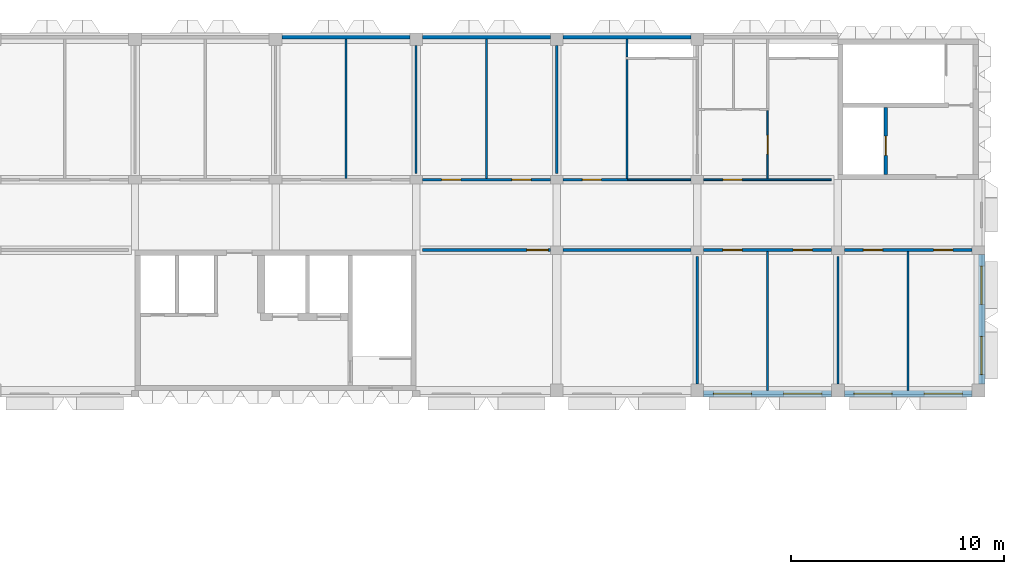
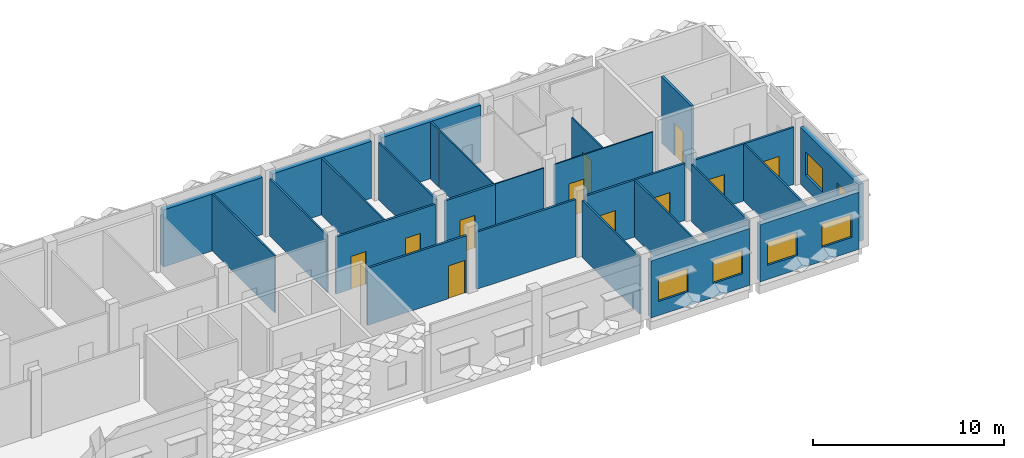
# One storey, part 34 of 85: 26 walls, 11 doors, 6 windows, 17 openings.
"""IFC4 building model written with IfcOpenShell, lengths in metres."""

import ifcopenshell
import ifcopenshell.guid

model = None  # the IFC model being written
_history = None  # IfcOwnerHistory: only IFC2X3 demands one
_inside = {}  # id of a spatial element -> (the spatial element, [elements in it])
_under = {}  # id of a project, library or spatial element -> (it, [spatial elements below it])
_declared = {}  # id of a project -> (the project, [libraries it declares])
_typed = {}  # id of a type object -> (the type object, [elements of that type])
_made_of = {}  # id of a material, layer set ... -> (it, [elements and type objects made of it])


def new_model(schema):
    """Start an empty IFC model of exactly this schema.

    Asked for "IFC4X3", IfcOpenShell would pick the latest addendum, in which some entities
    have other attributes; the version numbers below select the first issue.
    IFC2X3 requires an IfcOwnerHistory on every rooted entity: one is made here for all.
    """
    global model, _history
    if schema == "IFC4X3":
        model = ifcopenshell.file(schema_version=(4, 3, 0, 0))
    else:
        model = ifcopenshell.file(schema=schema)
    _inside.clear()
    _under.clear()
    _declared.clear()
    _typed.clear()
    _made_of.clear()
    _history = None
    if model.schema == "IFC2X3":
        org = make("IfcOrganization", Name="unknown")
        user = make(
            "IfcPersonAndOrganization",
            ThePerson=make("IfcPerson", FamilyName="unknown"),
            TheOrganization=org,
        )
        app = make(
            "IfcApplication",
            ApplicationDeveloper=org,
            Version="unknown",
            ApplicationFullName="unknown",
            ApplicationIdentifier="unknown",
        )
        _history = make(
            "IfcOwnerHistory",
            OwningUser=user,
            OwningApplication=app,
            ChangeAction="ADDED",
            CreationDate=0,
        )
    return model


def make(cls, **values):
    """One entity of the class cls with the attributes given. An attribute that is None is left unset."""
    return model.create_entity(
        cls, **{name: value for name, value in values.items() if value is not None}
    )


def rooted(cls, **values):
    """An entity with a GlobalId (a new one), such as an element, a storey or a relation."""
    return make(cls, GlobalId=ifcopenshell.guid.new(), OwnerHistory=_history, **values)


def si_unit(unit_type, name, prefix=None):
    """IfcSIUnit, for example si_unit("LENGTHUNIT", "METRE", prefix="MILLI")."""
    return make("IfcSIUnit", UnitType=unit_type, Prefix=prefix, Name=name)


def assignment(units):
    """IfcUnitAssignment: the units of a project."""
    return None if units is None else make("IfcUnitAssignment", Units=units)


def point(xyz):
    """IfcCartesianPoint."""
    return None if xyz is None else make("IfcCartesianPoint", Coordinates=xyz)


def direction(xyz):
    """IfcDirection."""
    return None if xyz is None else make("IfcDirection", DirectionRatios=xyz)


def frame(location, z_axis=None, x_axis=None):
    """IfcAxis2Placement3D, a coordinate frame: its origin and axes. An axis left out is left unset."""
    return make(
        "IfcAxis2Placement3D",
        Location=point(location),
        Axis=direction(z_axis),
        RefDirection=direction(x_axis),
    )


def frame_2d(location, x_axis=None):
    """IfcAxis2Placement2D, a coordinate frame in the plane: its origin and x axis."""
    return make(
        "IfcAxis2Placement2D", Location=point(location), RefDirection=direction(x_axis)
    )


def origin():
    """The frame at (0, 0, 0) with its axes left unset."""
    return frame((0.0, 0.0, 0.0))


def place(relative_to, where):
    """IfcLocalPlacement: puts the frame where relative to a parent placement (None: the world)."""
    return make(
        "IfcLocalPlacement", PlacementRelTo=relative_to, RelativePlacement=where
    )


def context(
    kind, dimensions, precision=None, world=None, true_north=None, identifier=None
):
    """IfcGeometricRepresentationContext, for example the 3D "Model" context."""
    return make(
        "IfcGeometricRepresentationContext",
        ContextIdentifier=identifier,
        ContextType=kind,
        CoordinateSpaceDimension=dimensions,
        Precision=precision,
        WorldCoordinateSystem=world,
        TrueNorth=true_north,
    )


def subcontext(parent, identifier, kind, view, scale=None):
    """IfcGeometricRepresentationSubContext, for example "Body" below "Model"."""
    return make(
        "IfcGeometricRepresentationSubContext",
        ContextIdentifier=identifier,
        ContextType=kind,
        ParentContext=parent,
        TargetScale=scale,
        TargetView=view,
    )


def project(units=None, contexts=None):
    """IfcProject with its units and contexts."""
    return rooted(
        "IfcProject",
        Name="project",
        RepresentationContexts=contexts,
        UnitsInContext=assignment(units),
    )


def spatial(cls, under=None, at=None, **own):
    """A site, building, storey or space (cls), placed at a placement, below another one or the project."""
    s = rooted(cls, ObjectPlacement=at, **own)
    if under is not None:
        _under.setdefault(under.id(), (under, []))[1].append(s)
    return s


def profile(cls, at=None, kind="AREA", **sizes):
    """A parametric profile (cls). Its sizes go by their IFC names, for example OverallWidth=200.0."""
    return make(cls, ProfileType=kind, Position=at, **sizes)


def rectangle(**sizes):
    """IfcRectangleProfileDef."""
    return profile("IfcRectangleProfileDef", **sizes)


def extrude(swept, where, along, depth):
    """IfcExtrudedAreaSolid: the profile swept, set in the frame where, extruded along a direction by depth."""
    return make(
        "IfcExtrudedAreaSolid",
        SweptArea=swept,
        Position=where,
        ExtrudedDirection=direction(along),
        Depth=depth,
    )


def shape(context_of_items, identifier, shape_type, items):
    """IfcShapeRepresentation: the items that make up one representation, for example the "Body"."""
    return make(
        "IfcShapeRepresentation",
        ContextOfItems=context_of_items,
        RepresentationIdentifier=identifier,
        RepresentationType=shape_type,
        Items=items,
    )


def material(Name=None, Category=None):
    """IfcMaterial."""
    return make("IfcMaterial", Name=Name, Category=Category)


def layer(
    of_material, thickness, ventilated=None, Name=None, Category=None, Priority=None
):
    """IfcMaterialLayer: one layer of a wall or slab, of a material (None: an air gap)."""
    return make(
        "IfcMaterialLayer",
        Material=of_material,
        LayerThickness=thickness,
        IsVentilated=ventilated,
        Name=Name,
        Category=Category,
        Priority=Priority,
    )


def layer_set(layers, Name=None):
    """IfcMaterialLayerSet."""
    return make("IfcMaterialLayerSet", MaterialLayers=layers, LayerSetName=Name)


def made_of(thing, what):
    """Note that an element or type object is made of a material, layer set ...; save() writes the relation."""
    if what is not None:
        _made_of.setdefault(what.id(), (what, []))[1].append(thing)
    return thing


def type_object(cls, material=None, **own):
    """A type object (cls), such as IfcWallType, which elements share."""
    return made_of(rooted(cls, **own), material)


def element(
    cls,
    number,
    at=None,
    inside=None,
    cuts=None,
    type_object=None,
    material=None,
    context=None,
    identifier="Body",
    shape_type=None,
    held_by="IfcProductDefinitionShape",
    body=None,
    shapes=None,
    **own,
):
    """One element of the class cls, such as IfcWall. Its Tag is "e" and its number.

    at: its placement. inside: the storey or other place that contains it. cuts: it is an
    opening in that element (IfcRelVoidsElement). A single representation is given by context,
    identifier, shape_type and body (its items); several are given by shapes. held_by: the class
    of the entity that holds the representations. save() writes the other relations.
    """
    e = rooted(cls, Tag="e%d" % number, ObjectPlacement=at, **own)
    if body is not None:
        shapes = [shape(context, identifier, shape_type, body)]
    if shapes is not None:
        e.Representation = make(held_by, Representations=shapes)
    if inside is not None:
        _inside.setdefault(inside.id(), (inside, []))[1].append(e)
    if cuts is not None:
        rooted(
            "IfcRelVoidsElement", RelatingBuildingElement=cuts, RelatedOpeningElement=e
        )
    if type_object is not None:
        _typed.setdefault(type_object.id(), (type_object, []))[1].append(e)
    return made_of(e, material)


def fill(opening, filler):
    """IfcRelFillsElement: the door or window that sits in an opening."""
    return rooted(
        "IfcRelFillsElement",
        RelatingOpeningElement=opening,
        RelatedBuildingElement=filler,
    )


def aggregate(whole, parts):
    """IfcRelAggregates: a whole, such as a stair, and the parts it consists of."""
    return rooted("IfcRelAggregates", RelatingObject=whole, RelatedObjects=parts)


def save(model, path):
    """Write the relations noted so far, then the file.

    IfcRelAggregates (storeys below a building ...), IfcRelContainedInSpatialStructure (elements
    in a storey), IfcRelDefinesByType, IfcRelAssociatesMaterial and IfcRelDeclares: one each for
    every whole, place, type object, material and project.
    """
    for whole, parts in _under.values():
        aggregate(whole, parts)
    for where, things in _inside.values():
        rooted(
            "IfcRelContainedInSpatialStructure",
            RelatedElements=things,
            RelatingStructure=where,
        )
    for kind, things in _typed.values():
        rooted("IfcRelDefinesByType", RelatedObjects=things, RelatingType=kind)
    for what, things in _made_of.values():
        rooted("IfcRelAssociatesMaterial", RelatedObjects=things, RelatingMaterial=what)
    for by, libraries in _declared.values():
        rooted("IfcRelDeclares", RelatingContext=by, RelatedDefinitions=libraries)
    model.write(path)


model = new_model("IFC4")

# Units and contexts
model_context = context("Model", 3, precision=1e-05, world=origin(), true_north=direction((0.0, 1.0)))
body_context = subcontext(model_context, "Body", "Model", "MODEL_VIEW")
ifc_project = project(units=[si_unit("LENGTHUNIT", "METRE"), si_unit("AREAUNIT", "SQUARE_METRE"), si_unit("VOLUMEUNIT", "CUBIC_METRE"), si_unit("PLANEANGLEUNIT", "RADIAN"), si_unit("MASSUNIT", "GRAM", prefix="KILO")], contexts=[model_context])

# Site, building, storey
site_placement = place(None, origin())
site = spatial("IfcSite", under=ifc_project, at=site_placement, CompositionType="ELEMENT")
building_placement = place(site_placement, origin())
building = spatial("IfcBuilding", under=site, at=building_placement, Name="Lantern Court Research Institute", CompositionType="ELEMENT")
storey_placement = place(building_placement, frame((0.0, 0.0, 18.89990234375)))
storey = spatial("IfcBuildingStorey", under=building, at=storey_placement, Name="L04", CompositionType="ELEMENT", Elevation=18.89990234375)

# Wall, openings, windows
ifc_material_1 = material(Name="Concrete C30/37", Category="concrete")
ifc_layer_1 = layer(ifc_material_1, 0.300048828125)
ifc_layer_set_1 = layer_set([ifc_layer_1], Name="Concrete C30/37")
wall_type_1 = type_object("IfcWallType", Name="Insulated concrete infill wall 300", PredefinedType="STANDARD", material=ifc_layer_set_1)
wall_1_placement = place(storey_placement, frame((79.35009765625, 88.89990234375, 0.0), z_axis=(0.0, 0.0, 1.0), x_axis=(0.0, -1.0, 0.0)))
wall_1 = element("IfcWall", 1, at=wall_1_placement, inside=storey, type_object=wall_type_1, Name="Exterior wall EW203", PredefinedType="STANDARD", context=body_context, shape_type="SweptSolid", body=[
    extrude(rectangle(XDim=6.099853515625, YDim=0.300048828125, at=frame_2d((3.0498046875, 0.0))), origin(), (0.0, 0.0, 1.0), 3.650146484375),
])
opening_1_placement = place(wall_1_placement, frame((3.85009765625, 0.0, 0.89990234375)))
opening_1 = element("IfcOpeningElement", 2, at=opening_1_placement, cuts=wall_1, Name="Opening W14", PredefinedType="OPENING", context=body_context, shape_type="SweptSolid", body=[
    extrude(rectangle(XDim=1.800048828125, YDim=1.5, at=frame_2d((0.89990234375, 0.75))), frame((0.0, 0.159912109375, 0.0), z_axis=(0.0, -1.0, 0.0), x_axis=(1.0, 0.0, 0.0)), (0.0, 0.0, 1.0), 0.320068359375),
])
opening_2_placement = place(wall_1_placement, frame((0.550048828125, 0.0, 0.89990234375)))
opening_2 = element("IfcOpeningElement", 3, at=opening_2_placement, cuts=wall_1, Name="Opening W14", PredefinedType="OPENING", context=body_context, shape_type="SweptSolid", body=[
    extrude(rectangle(XDim=1.800048828125, YDim=1.5, at=frame_2d((0.89990234375, 0.75))), frame((0.0, 0.159912109375, 0.0), z_axis=(0.0, -1.0, 0.0), x_axis=(1.0, 0.0, 0.0)), (0.0, 0.0, 1.0), 0.320068359375),
])
ifc_material_2 = material(Name="Aluminium frame with laminated low-emissivity glazing", Category="aluminium")
window_type = type_object("IfcWindowType", Name="Office window 1800 x 1500", PartitioningType="SINGLE_PANEL", PredefinedType="WINDOW", material=ifc_material_2)
window_1_placement = place(opening_1_placement, origin())
window_1 = element("IfcWindow", 4, at=window_1_placement, inside=storey, type_object=window_type, Name="Window W14 V6E L04", OverallHeight=1.5, OverallWidth=1.800048828125, PartitioningType="SINGLE_PANEL", PredefinedType="WINDOW", context=body_context, shape_type="SweptSolid", body=[
    extrude(rectangle(XDim=1.800048828125, YDim=1.5, at=frame_2d((0.89990234375, 0.75))), frame((0.0, 0.030029296875, 0.0), z_axis=(0.0, -1.0, 0.0), x_axis=(1.0, 0.0, 0.0)), (0.0, 0.0, 1.0), 0.06005859375),
])
fill(opening_1, window_1)
window_2_placement = place(opening_2_placement, origin())
window_2 = element("IfcWindow", 5, at=window_2_placement, inside=storey, type_object=window_type, Name="Window W14 V6E L04", OverallHeight=1.5, OverallWidth=1.800048828125, PartitioningType="SINGLE_PANEL", PredefinedType="WINDOW", context=body_context, shape_type="SweptSolid", body=[
    extrude(rectangle(XDim=1.800048828125, YDim=1.5, at=frame_2d((0.89990234375, 0.75))), frame((0.0, 0.030029296875, 0.0), z_axis=(0.0, -1.0, 0.0), x_axis=(1.0, 0.0, 0.0)), (0.0, 0.0, 1.0), 0.06005859375),
])
fill(opening_2, window_2)

wall_2_placement = place(storey_placement, frame((72.300048828125, 82.35009765625, 0.0), z_axis=(0.0, 0.0, 1.0), x_axis=(-1.0, 0.0, 0.0)))
wall_2 = element("IfcWall", 6, at=wall_2_placement, inside=storey, type_object=wall_type_1, Name="Exterior wall EW226", PredefinedType="STANDARD", context=body_context, shape_type="SweptSolid", body=[
    extrude(rectangle(XDim=6.0, YDim=0.300048828125, at=frame_2d((3.0, 0.0))), origin(), (0.0, 0.0, 1.0), 3.650146484375),
])
opening_3_placement = place(wall_2_placement, frame((3.75, 0.0, 0.89990234375)))
opening_3 = element("IfcOpeningElement", 7, at=opening_3_placement, cuts=wall_2, Name="Opening W14", PredefinedType="OPENING", context=body_context, shape_type="SweptSolid", body=[
    extrude(rectangle(XDim=1.800048828125, YDim=1.5, at=frame_2d((0.89990234375, 0.75))), frame((0.0, 0.159912109375, 0.0), z_axis=(0.0, -1.0, 0.0), x_axis=(1.0, 0.0, 0.0)), (0.0, 0.0, 1.0), 0.320068359375),
])
opening_4_placement = place(wall_2_placement, frame((0.449951171875, 0.0, 0.89990234375)))
opening_4 = element("IfcOpeningElement", 8, at=opening_4_placement, cuts=wall_2, Name="Opening W14", PredefinedType="OPENING", context=body_context, shape_type="SweptSolid", body=[
    extrude(rectangle(XDim=1.800048828125, YDim=1.5, at=frame_2d((0.89990234375, 0.75))), frame((0.0, 0.159912109375, 0.0), z_axis=(0.0, -1.0, 0.0), x_axis=(1.0, 0.0, 0.0)), (0.0, 0.0, 1.0), 0.320068359375),
])
window_3_placement = place(opening_3_placement, origin())
window_3 = element("IfcWindow", 9, at=window_3_placement, inside=storey, type_object=window_type, Name="Window W14 V6S L04", OverallHeight=1.5, OverallWidth=1.800048828125, PartitioningType="SINGLE_PANEL", PredefinedType="WINDOW", context=body_context, shape_type="SweptSolid", body=[
    extrude(rectangle(XDim=1.800048828125, YDim=1.5, at=frame_2d((0.89990234375, 0.75))), frame((0.0, 0.030029296875, 0.0), z_axis=(0.0, -1.0, 0.0), x_axis=(1.0, 0.0, 0.0)), (0.0, 0.0, 1.0), 0.06005859375),
])
fill(opening_3, window_3)
window_4_placement = place(opening_4_placement, origin())
window_4 = element("IfcWindow", 10, at=window_4_placement, inside=storey, type_object=window_type, Name="Window W14 V6S L04", OverallHeight=1.5, OverallWidth=1.800048828125, PartitioningType="SINGLE_PANEL", PredefinedType="WINDOW", context=body_context, shape_type="SweptSolid", body=[
    extrude(rectangle(XDim=1.800048828125, YDim=1.5, at=frame_2d((0.89990234375, 0.75))), frame((0.0, 0.030029296875, 0.0), z_axis=(0.0, -1.0, 0.0), x_axis=(1.0, 0.0, 0.0)), (0.0, 0.0, 1.0), 0.06005859375),
])
fill(opening_4, window_4)

wall_3_placement = place(storey_placement, frame((78.89990234375, 82.35009765625, 0.0), z_axis=(0.0, 0.0, 1.0), x_axis=(-1.0, 0.0, 0.0)))
wall_3 = element("IfcWall", 11, at=wall_3_placement, inside=storey, type_object=wall_type_1, Name="Exterior wall EW227", PredefinedType="STANDARD", context=body_context, shape_type="SweptSolid", body=[
    extrude(rectangle(XDim=6.0, YDim=0.300048828125, at=frame_2d((3.0, 0.0))), origin(), (0.0, 0.0, 1.0), 3.650146484375),
])
opening_5_placement = place(wall_3_placement, frame((3.75, 0.0, 0.89990234375)))
opening_5 = element("IfcOpeningElement", 12, at=opening_5_placement, cuts=wall_3, Name="Opening W14", PredefinedType="OPENING", context=body_context, shape_type="SweptSolid", body=[
    extrude(rectangle(XDim=1.800048828125, YDim=1.5, at=frame_2d((0.89990234375, 0.75))), frame((0.0, 0.159912109375, 0.0), z_axis=(0.0, -1.0, 0.0), x_axis=(1.0, 0.0, 0.0)), (0.0, 0.0, 1.0), 0.320068359375),
])
opening_6_placement = place(wall_3_placement, frame((0.449951171875, 0.0, 0.89990234375)))
opening_6 = element("IfcOpeningElement", 13, at=opening_6_placement, cuts=wall_3, Name="Opening W14", PredefinedType="OPENING", context=body_context, shape_type="SweptSolid", body=[
    extrude(rectangle(XDim=1.800048828125, YDim=1.5, at=frame_2d((0.89990234375, 0.75))), frame((0.0, 0.159912109375, 0.0), z_axis=(0.0, -1.0, 0.0), x_axis=(1.0, 0.0, 0.0)), (0.0, 0.0, 1.0), 0.320068359375),
])
window_5_placement = place(opening_5_placement, origin())
window_5 = element("IfcWindow", 14, at=window_5_placement, inside=storey, type_object=window_type, Name="Window W14 V6S L04", OverallHeight=1.5, OverallWidth=1.800048828125, PartitioningType="SINGLE_PANEL", PredefinedType="WINDOW", context=body_context, shape_type="SweptSolid", body=[
    extrude(rectangle(XDim=1.800048828125, YDim=1.5, at=frame_2d((0.89990234375, 0.75))), frame((0.0, 0.030029296875, 0.0), z_axis=(0.0, -1.0, 0.0), x_axis=(1.0, 0.0, 0.0)), (0.0, 0.0, 1.0), 0.06005859375),
])
fill(opening_5, window_5)
window_6_placement = place(opening_6_placement, origin())
window_6 = element("IfcWindow", 15, at=window_6_placement, inside=storey, type_object=window_type, Name="Window W14 V6S L04", OverallHeight=1.5, OverallWidth=1.800048828125, PartitioningType="SINGLE_PANEL", PredefinedType="WINDOW", context=body_context, shape_type="SweptSolid", body=[
    extrude(rectangle(XDim=1.800048828125, YDim=1.5, at=frame_2d((0.89990234375, 0.75))), frame((0.0, 0.030029296875, 0.0), z_axis=(0.0, -1.0, 0.0), x_axis=(1.0, 0.0, 0.0)), (0.0, 0.0, 1.0), 0.06005859375),
])
fill(opening_6, window_6)

# Walls
ifc_material_3 = material(Name="Gypsum board on metal studs")
ifc_layer_2 = layer(ifc_material_3, 0.10009765625)
ifc_layer_set_2 = layer_set([ifc_layer_2], Name="Gypsum board on metal studs")
wall_type_2 = type_object("IfcWallType", Name="Partition 100 mm", PredefinedType="PARTITIONING", material=ifc_layer_set_2)
wall_4_placement = place(storey_placement, frame((49.5, 92.462890625, 0.0), z_axis=(0.0, 0.0, 1.0), x_axis=(0.0, 1.0, 0.0)))
element("IfcWall", 16, at=wall_4_placement, inside=storey, type_object=wall_type_2, Name="Wall V6-L04-051", PredefinedType="PARTITIONING", context=body_context, shape_type="SweptSolid", body=[
    extrude(rectangle(XDim=6.537109375, YDim=0.10009765625, at=frame_2d((3.2685546875, 0.0))), origin(), (0.0, 0.0, 1.0), 3.650146484375),
])
wall_5_placement = place(storey_placement, frame((52.800048828125, 92.699951171875, 0.0), z_axis=(0.0, 0.0, 1.0), x_axis=(0.0, 1.0, 0.0)))
element("IfcWall", 17, at=wall_5_placement, inside=storey, type_object=wall_type_2, Name="Wall V6-L04-052", PredefinedType="PARTITIONING", context=body_context, shape_type="SweptSolid", body=[
    extrude(rectangle(XDim=6.0, YDim=0.10009765625, at=frame_2d((3.0, 0.0))), origin(), (0.0, 0.0, 1.0), 3.650146484375),
])
wall_6_placement = place(storey_placement, frame((56.10009765625, 92.462890625, 0.0), z_axis=(0.0, 0.0, 1.0), x_axis=(0.0, 1.0, 0.0)))
element("IfcWall", 18, at=wall_6_placement, inside=storey, type_object=wall_type_2, Name="Wall V6-L04-053", PredefinedType="PARTITIONING", context=body_context, shape_type="SweptSolid", body=[
    extrude(rectangle(XDim=6.537109375, YDim=0.10009765625, at=frame_2d((3.2685546875, 0.0))), origin(), (0.0, 0.0, 1.0), 3.650146484375),
])
for number, where, z_axis, x_axis, name in (
    (19, (59.39990234375, 92.699951171875, 0.0), (0.0, 0.0, 1.0), (0.0, 1.0, 0.0), "Wall V6-L04-054"),
    (20, (66.0, 82.800048828125, 0.0), (0.0, 0.0, 1.0), (0.0, 1.0, 0.0), "Wall V6-L04-057"),
):
    element("IfcWall", number, at=place(storey_placement, frame(where, z_axis=z_axis, x_axis=x_axis)), inside=storey, type_object=wall_type_2, Name=name, PredefinedType="PARTITIONING", context=body_context, shape_type="SweptSolid", body=[
        extrude(rectangle(XDim=6.0, YDim=0.10009765625, at=frame_2d((3.0, 0.0))), origin(), (0.0, 0.0, 1.0), 3.650146484375),
    ])
wall_7_placement = place(storey_placement, frame((69.300048828125, 82.5, 0.0), z_axis=(0.0, 0.0, 1.0), x_axis=(0.0, 1.0, 0.0)))
element("IfcWall", 21, at=wall_7_placement, inside=storey, type_object=wall_type_2, Name="Wall V6-L04-061", PredefinedType="PARTITIONING", context=body_context, shape_type="SweptSolid", body=[
    extrude(rectangle(XDim=6.537109375, YDim=0.10009765625, at=frame_2d((3.2685546875, 0.0))), origin(), (0.0, 0.0, 1.0), 3.650146484375),
])
wall_8_placement = place(storey_placement, frame((72.60009765625, 82.800048828125, 0.0), z_axis=(0.0, 0.0, 1.0), x_axis=(0.0, 1.0, 0.0)))
element("IfcWall", 22, at=wall_8_placement, inside=storey, type_object=wall_type_2, Name="Wall V6-L04-064", PredefinedType="PARTITIONING", context=body_context, shape_type="SweptSolid", body=[
    extrude(rectangle(XDim=6.0, YDim=0.10009765625, at=frame_2d((3.0, 0.0))), origin(), (0.0, 0.0, 1.0), 3.650146484375),
])
wall_9_placement = place(storey_placement, frame((75.89990234375, 82.5, 0.0), z_axis=(0.0, 0.0, 1.0), x_axis=(0.0, 1.0, 0.0)))
element("IfcWall", 23, at=wall_9_placement, inside=storey, type_object=wall_type_2, Name="Wall V6-L04-065", PredefinedType="PARTITIONING", context=body_context, shape_type="SweptSolid", body=[
    extrude(rectangle(XDim=6.537109375, YDim=0.10009765625, at=frame_2d((3.2685546875, 0.0))), origin(), (0.0, 0.0, 1.0), 3.650146484375),
])
ifc_material_4 = material(Name="Concrete C30/37", Category="concrete")
ifc_layer_3 = layer(ifc_material_4, 0.300048828125)
ifc_layer_set_3 = layer_set([ifc_layer_3], Name="Concrete C30/37")
wall_type_3 = type_object("IfcWallType", Name="Party wall 300 concrete EI 120", PredefinedType="STANDARD", material=ifc_layer_set_3)
for number, where, z_axis, x_axis, name in (
    (24, (46.5, 99.14990234375, 0.0), (0.0, 0.0, 1.0), (1.0, 0.0, 0.0), "Exterior wall EW211"),
    (25, (53.10009765625, 99.14990234375, 0.0), (0.0, 0.0, 1.0), (1.0, 0.0, 0.0), "Exterior wall EW212"),
    (26, (59.699951171875, 99.14990234375, 0.0), (0.0, 0.0, 1.0), (1.0, 0.0, 0.0), "Exterior wall EW213"),
):
    element("IfcWall", number, at=place(storey_placement, frame(where, z_axis=z_axis, x_axis=x_axis)), inside=storey, type_object=wall_type_3, Name=name, PredefinedType="STANDARD", context=body_context, shape_type="SweptSolid", body=[
        extrude(rectangle(XDim=6.0, YDim=0.300048828125, at=frame_2d((3.0, 0.0))), origin(), (0.0, 0.0, 1.0), 3.650146484375),
    ])

# Wall, opening, door
ifc_material_5 = material(Name="Gypsum board on metal studs")
ifc_layer_4 = layer(ifc_material_5, 0.125)
ifc_layer_set_4 = layer_set([ifc_layer_4], Name="Gypsum board on metal studs")
wall_type_4 = type_object("IfcWallType", Name="Protected corridor partition 125 mm EI 30", PredefinedType="PARTITIONING", material=ifc_layer_set_4)
wall_10_placement = place(storey_placement, frame((59.10009765625, 89.10009765625, 0.0), z_axis=(0.0, 0.0, 1.0), x_axis=(-1.0, 0.0, 0.0)))
wall_10 = element("IfcWall", 27, at=wall_10_placement, inside=storey, type_object=wall_type_4, Name="Wall V6-L04-008", PredefinedType="PARTITIONING", context=body_context, shape_type="SweptSolid", body=[
    extrude(rectangle(XDim=6.0, YDim=0.125, at=frame_2d((3.0, 0.0))), origin(), (0.0, 0.0, 1.0), 3.650146484375),
])
opening_7_placement = place(wall_10_placement, frame((0.10009765625, 0.0, 0.0)))
opening_7 = element("IfcOpeningElement", 28, at=opening_7_placement, cuts=wall_10, Name="Opening D6407", PredefinedType="OPENING", context=body_context, shape_type="SweptSolid", body=[
    extrude(rectangle(XDim=1.0, YDim=2.10009765625, at=frame_2d((0.5, 1.050048828125))), frame((0.0, 0.072509765625, 0.0), z_axis=(0.0, -1.0, 0.0), x_axis=(1.0, 0.0, 0.0)), (0.0, 0.0, 1.0), 0.14501953125),
])
ifc_material_6 = material(Name="Timber veneered door leaf", Category="wood")
door_type_1 = type_object("IfcDoorType", Name="Door 1000 x 2100 meeting room FD30S", OperationType="NOTDEFINED", PredefinedType="DOOR", material=ifc_material_6)
door_1_placement = place(opening_7_placement, origin())
door_1 = element("IfcDoor", 29, at=door_1_placement, inside=storey, type_object=door_type_1, Name="Door D6407", OperationType="SINGLE_SWING_RIGHT", OverallHeight=2.10009765625, OverallWidth=1.0, PredefinedType="DOOR", context=body_context, shape_type="SweptSolid", body=[
    extrude(rectangle(XDim=1.0, YDim=2.10009765625, at=frame_2d((0.5, 1.050048828125))), frame((0.0, 0.02490234375, 0.0), z_axis=(0.0, -1.0, 0.0), x_axis=(1.0, 0.0, 0.0)), (0.0, 0.0, 1.0), 0.050048828125),
])
fill(opening_7, door_1)

# Wall
wall_11_placement = place(storey_placement, frame((59.699951171875, 89.10009765625, 0.0), z_axis=(0.0, 0.0, 1.0), x_axis=(1.0, 0.0, 0.0)))
element("IfcWall", 30, at=wall_11_placement, inside=storey, type_object=wall_type_4, Name="Wall V6-L04-009", PredefinedType="PARTITIONING", context=body_context, shape_type="SweptSolid", body=[
    extrude(rectangle(XDim=6.0, YDim=0.125, at=frame_2d((3.0, 0.0))), origin(), (0.0, 0.0, 1.0), 3.650146484375),
])

# Wall, openings, doors
wall_12_placement = place(storey_placement, frame((72.300048828125, 89.10009765625, 0.0), z_axis=(0.0, 0.0, 1.0), x_axis=(-1.0, 0.0, 0.0)))
wall_12 = element("IfcWall", 31, at=wall_12_placement, inside=storey, type_object=wall_type_4, Name="Wall V6-L04-010", PredefinedType="PARTITIONING", context=body_context, shape_type="SweptSolid", body=[
    extrude(rectangle(XDim=6.0, YDim=0.125, at=frame_2d((3.0, 0.0))), origin(), (0.0, 0.0, 1.0), 3.650146484375),
])
opening_8_placement = place(wall_12_placement, frame((4.199951171875, 0.0, 0.0)))
opening_8 = element("IfcOpeningElement", 32, at=opening_8_placement, cuts=wall_12, Name="Opening D6408", PredefinedType="OPENING", context=body_context, shape_type="SweptSolid", body=[
    extrude(rectangle(XDim=0.89990234375, YDim=2.10009765625, at=frame_2d((0.449951171875, 1.050048828125))), frame((0.0, 0.072509765625, 0.0), z_axis=(0.0, -1.0, 0.0), x_axis=(1.0, 0.0, 0.0)), (0.0, 0.0, 1.0), 0.14501953125),
])
opening_9_placement = place(wall_12_placement, frame((0.89990234375, 0.0, 0.0)))
opening_9 = element("IfcOpeningElement", 33, at=opening_9_placement, cuts=wall_12, Name="Opening D6409", PredefinedType="OPENING", context=body_context, shape_type="SweptSolid", body=[
    extrude(rectangle(XDim=0.89990234375, YDim=2.10009765625, at=frame_2d((0.449951171875, 1.050048828125))), frame((0.0, 0.072509765625, 0.0), z_axis=(0.0, -1.0, 0.0), x_axis=(1.0, 0.0, 0.0)), (0.0, 0.0, 1.0), 0.14501953125),
])
ifc_material_7 = material(Name="Timber veneered door leaf", Category="wood")
door_type_2 = type_object("IfcDoorType", Name="Door 900 x 2100 timber FD30S", OperationType="NOTDEFINED", PredefinedType="DOOR", material=ifc_material_7)
door_2_placement = place(opening_8_placement, origin())
door_2 = element("IfcDoor", 34, at=door_2_placement, inside=storey, type_object=door_type_2, Name="Door D6408", OperationType="SINGLE_SWING_LEFT", OverallHeight=2.10009765625, OverallWidth=0.89990234375, PredefinedType="DOOR", context=body_context, shape_type="SweptSolid", body=[
    extrude(rectangle(XDim=0.89990234375, YDim=2.10009765625, at=frame_2d((0.449951171875, 1.050048828125))), frame((0.0, 0.02490234375, 0.0), z_axis=(0.0, -1.0, 0.0), x_axis=(1.0, 0.0, 0.0)), (0.0, 0.0, 1.0), 0.050048828125),
])
fill(opening_8, door_2)
door_3_placement = place(opening_9_placement, origin())
door_3 = element("IfcDoor", 35, at=door_3_placement, inside=storey, type_object=door_type_2, Name="Door D6409", OperationType="SINGLE_SWING_LEFT", OverallHeight=2.10009765625, OverallWidth=0.89990234375, PredefinedType="DOOR", context=body_context, shape_type="SweptSolid", body=[
    extrude(rectangle(XDim=0.89990234375, YDim=2.10009765625, at=frame_2d((0.449951171875, 1.050048828125))), frame((0.0, 0.02490234375, 0.0), z_axis=(0.0, -1.0, 0.0), x_axis=(1.0, 0.0, 0.0)), (0.0, 0.0, 1.0), 0.050048828125),
])
fill(opening_9, door_3)

wall_13_placement = place(storey_placement, frame((78.89990234375, 89.10009765625, 0.0), z_axis=(0.0, 0.0, 1.0), x_axis=(-1.0, 0.0, 0.0)))
wall_13 = element("IfcWall", 36, at=wall_13_placement, inside=storey, type_object=wall_type_4, Name="Wall V6-L04-011", PredefinedType="PARTITIONING", context=body_context, shape_type="SweptSolid", body=[
    extrude(rectangle(XDim=6.0, YDim=0.125, at=frame_2d((3.0, 0.0))), origin(), (0.0, 0.0, 1.0), 3.650146484375),
])
opening_10_placement = place(wall_13_placement, frame((4.199951171875, 0.0, 0.0)))
opening_10 = element("IfcOpeningElement", 37, at=opening_10_placement, cuts=wall_13, Name="Opening D6410", PredefinedType="OPENING", context=body_context, shape_type="SweptSolid", body=[
    extrude(rectangle(XDim=0.89990234375, YDim=2.10009765625, at=frame_2d((0.449951171875, 1.050048828125))), frame((0.0, 0.072509765625, 0.0), z_axis=(0.0, -1.0, 0.0), x_axis=(1.0, 0.0, 0.0)), (0.0, 0.0, 1.0), 0.14501953125),
])
opening_11_placement = place(wall_13_placement, frame((0.89990234375, 0.0, 0.0)))
opening_11 = element("IfcOpeningElement", 38, at=opening_11_placement, cuts=wall_13, Name="Opening D6411", PredefinedType="OPENING", context=body_context, shape_type="SweptSolid", body=[
    extrude(rectangle(XDim=0.89990234375, YDim=2.10009765625, at=frame_2d((0.449951171875, 1.050048828125))), frame((0.0, 0.072509765625, 0.0), z_axis=(0.0, -1.0, 0.0), x_axis=(1.0, 0.0, 0.0)), (0.0, 0.0, 1.0), 0.14501953125),
])
door_4_placement = place(opening_10_placement, origin())
door_4 = element("IfcDoor", 39, at=door_4_placement, inside=storey, type_object=door_type_2, Name="Door D6410", OperationType="SINGLE_SWING_RIGHT", OverallHeight=2.10009765625, OverallWidth=0.89990234375, PredefinedType="DOOR", context=body_context, shape_type="SweptSolid", body=[
    extrude(rectangle(XDim=0.89990234375, YDim=2.10009765625, at=frame_2d((0.449951171875, 1.050048828125))), frame((0.0, 0.02490234375, 0.0), z_axis=(0.0, -1.0, 0.0), x_axis=(1.0, 0.0, 0.0)), (0.0, 0.0, 1.0), 0.050048828125),
])
fill(opening_10, door_4)
door_5_placement = place(opening_11_placement, origin())
door_5 = element("IfcDoor", 40, at=door_5_placement, inside=storey, type_object=door_type_2, Name="Door D6411", OperationType="SINGLE_SWING_RIGHT", OverallHeight=2.10009765625, OverallWidth=0.89990234375, PredefinedType="DOOR", context=body_context, shape_type="SweptSolid", body=[
    extrude(rectangle(XDim=0.89990234375, YDim=2.10009765625, at=frame_2d((0.449951171875, 1.050048828125))), frame((0.0, 0.02490234375, 0.0), z_axis=(0.0, -1.0, 0.0), x_axis=(1.0, 0.0, 0.0)), (0.0, 0.0, 1.0), 0.050048828125),
])
fill(opening_11, door_5)

wall_14_placement = place(storey_placement, frame((53.10009765625, 92.39990234375, 0.0), z_axis=(0.0, 0.0, 1.0), x_axis=(1.0, 0.0, 0.0)))
wall_14 = element("IfcWall", 41, at=wall_14_placement, inside=storey, type_object=wall_type_4, Name="Wall V6-L04-020", PredefinedType="PARTITIONING", context=body_context, shape_type="SweptSolid", body=[
    extrude(rectangle(XDim=6.0, YDim=0.125, at=frame_2d((3.0, 0.0))), origin(), (0.0, 0.0, 1.0), 3.650146484375),
])
opening_12_placement = place(wall_14_placement, frame((0.89990234375, 0.0, 0.0)))
opening_12 = element("IfcOpeningElement", 42, at=opening_12_placement, cuts=wall_14, Name="Opening D6422", PredefinedType="OPENING", context=body_context, shape_type="SweptSolid", body=[
    extrude(rectangle(XDim=0.89990234375, YDim=2.10009765625, at=frame_2d((0.449951171875, 1.050048828125))), frame((0.0, 0.072509765625, 0.0), z_axis=(0.0, -1.0, 0.0), x_axis=(1.0, 0.0, 0.0)), (0.0, 0.0, 1.0), 0.14501953125),
])
opening_13_placement = place(wall_14_placement, frame((4.199951171875, 0.0, 0.0)))
opening_13 = element("IfcOpeningElement", 43, at=opening_13_placement, cuts=wall_14, Name="Opening D6423", PredefinedType="OPENING", context=body_context, shape_type="SweptSolid", body=[
    extrude(rectangle(XDim=0.89990234375, YDim=2.10009765625, at=frame_2d((0.449951171875, 1.050048828125))), frame((0.0, 0.072509765625, 0.0), z_axis=(0.0, -1.0, 0.0), x_axis=(1.0, 0.0, 0.0)), (0.0, 0.0, 1.0), 0.14501953125),
])
door_6_placement = place(opening_12_placement, origin())
door_6 = element("IfcDoor", 44, at=door_6_placement, inside=storey, type_object=door_type_2, Name="Door D6422", OperationType="SINGLE_SWING_RIGHT", OverallHeight=2.10009765625, OverallWidth=0.89990234375, PredefinedType="DOOR", context=body_context, shape_type="SweptSolid", body=[
    extrude(rectangle(XDim=0.89990234375, YDim=2.10009765625, at=frame_2d((0.449951171875, 1.050048828125))), frame((0.0, 0.02490234375, 0.0), z_axis=(0.0, -1.0, 0.0), x_axis=(1.0, 0.0, 0.0)), (0.0, 0.0, 1.0), 0.050048828125),
])
fill(opening_12, door_6)
door_7_placement = place(opening_13_placement, origin())
door_7 = element("IfcDoor", 45, at=door_7_placement, inside=storey, type_object=door_type_2, Name="Door D6423", OperationType="SINGLE_SWING_LEFT", OverallHeight=2.10009765625, OverallWidth=0.89990234375, PredefinedType="DOOR", context=body_context, shape_type="SweptSolid", body=[
    extrude(rectangle(XDim=0.89990234375, YDim=2.10009765625, at=frame_2d((0.449951171875, 1.050048828125))), frame((0.0, 0.02490234375, 0.0), z_axis=(0.0, -1.0, 0.0), x_axis=(1.0, 0.0, 0.0)), (0.0, 0.0, 1.0), 0.050048828125),
])
fill(opening_13, door_7)

# Wall, opening, door
wall_15_placement = place(storey_placement, frame((59.699951171875, 92.39990234375, 0.0), z_axis=(0.0, 0.0, 1.0), x_axis=(1.0, 0.0, 0.0)))
wall_15 = element("IfcWall", 46, at=wall_15_placement, inside=storey, type_object=wall_type_4, Name="Wall V6-L04-021", PredefinedType="PARTITIONING", context=body_context, shape_type="SweptSolid", body=[
    extrude(rectangle(XDim=3.0380859375, YDim=0.125, at=frame_2d((1.51904296875, 0.0))), origin(), (0.0, 0.0, 1.0), 3.650146484375),
])
opening_14_placement = place(wall_15_placement, frame((0.89990234375, 0.0, 0.0)))
opening_14 = element("IfcOpeningElement", 47, at=opening_14_placement, cuts=wall_15, Name="Opening D6424", PredefinedType="OPENING", context=body_context, shape_type="SweptSolid", body=[
    extrude(rectangle(XDim=0.89990234375, YDim=2.10009765625, at=frame_2d((0.449951171875, 1.050048828125))), frame((0.0, 0.072509765625, 0.0), z_axis=(0.0, -1.0, 0.0), x_axis=(1.0, 0.0, 0.0)), (0.0, 0.0, 1.0), 0.14501953125),
])
door_8_placement = place(opening_14_placement, origin())
door_8 = element("IfcDoor", 48, at=door_8_placement, inside=storey, type_object=door_type_2, Name="Door D6424", OperationType="SINGLE_SWING_LEFT", OverallHeight=2.10009765625, OverallWidth=0.89990234375, PredefinedType="DOOR", context=body_context, shape_type="SweptSolid", body=[
    extrude(rectangle(XDim=0.89990234375, YDim=2.10009765625, at=frame_2d((0.449951171875, 1.050048828125))), frame((0.0, 0.02490234375, 0.0), z_axis=(0.0, -1.0, 0.0), x_axis=(1.0, 0.0, 0.0)), (0.0, 0.0, 1.0), 0.050048828125),
])
fill(opening_14, door_8)

ifc_material_8 = material(Name="Concrete C40/50", Category="concrete")
ifc_layer_5 = layer(ifc_material_8, 0.14990234375)
ifc_layer_set_5 = layer_set([ifc_layer_5], Name="Concrete C40/50")
wall_type_5 = type_object("IfcWallType", Name="RC shaft wall 150", PredefinedType="SHEAR", material=ifc_layer_set_5)
wall_16_placement = place(storey_placement, frame((74.85009765625, 92.64990234375, 0.0), z_axis=(0.0, 0.0, 1.0), x_axis=(0.0, 1.0, 0.0)))
wall_16 = element("IfcWall", 49, at=wall_16_placement, inside=storey, type_object=wall_type_5, Name="Riser wall of core WC-E", PredefinedType="SHEAR", context=body_context, shape_type="SweptSolid", body=[
    extrude(rectangle(XDim=3.150146484375, YDim=0.14990234375, at=frame_2d((1.5751953125, 0.0))), origin(), (0.0, 0.0, 1.0), 4.25),
])
opening_15_placement = place(wall_16_placement, frame((0.89990234375, 0.0, 0.0)))
opening_15 = element("IfcOpeningElement", 50, at=opening_15_placement, cuts=wall_16, Name="Opening D7270", PredefinedType="OPENING", context=body_context, shape_type="SweptSolid", body=[
    extrude(rectangle(XDim=0.89990234375, YDim=2.10009765625, at=frame_2d((0.449951171875, 1.050048828125))), frame((0.0, 0.0849609375, 0.0), z_axis=(0.0, -1.0, 0.0), x_axis=(1.0, 0.0, 0.0)), (0.0, 0.0, 1.0), 0.169921875),
])
ifc_material_9 = material(Name="Steel fire door leaf", Category="steel")
door_type_3 = type_object("IfcDoorType", Name="Door 900 x 2100 fire rated FD60", OperationType="NOTDEFINED", PredefinedType="DOOR", material=ifc_material_9)
door_9_placement = place(opening_15_placement, origin())
door_9 = element("IfcDoor", 51, at=door_9_placement, inside=storey, type_object=door_type_3, Name="Riser door", OperationType="SINGLE_SWING_LEFT", OverallHeight=2.10009765625, OverallWidth=0.89990234375, PredefinedType="DOOR", context=body_context, shape_type="SweptSolid", body=[
    extrude(rectangle(XDim=0.89990234375, YDim=2.10009765625, at=frame_2d((0.449951171875, 1.050048828125))), frame((0.0, 0.02490234375, 0.0), z_axis=(0.0, -1.0, 0.0), x_axis=(1.0, 0.0, 0.0)), (0.0, 0.0, 1.0), 0.050048828125),
])
fill(opening_15, door_9)

# Walls
ifc_material_10 = material(Name="Fire-rated gypsum board on metal studs")
ifc_layer_6 = layer(ifc_material_10, 0.110107421875)
ifc_layer_set_6 = layer_set([ifc_layer_6], Name="Fire-rated gypsum board on metal studs")
wall_type_6 = type_object("IfcWallType", Name="Riser wall 110 mm EI 60", PredefinedType="PARTITIONING", material=ifc_layer_set_6)
wall_17_placement = place(storey_placement, frame((62.699951171875, 98.155029296875, 0.0), z_axis=(0.0, 0.0, 1.0), x_axis=(0.0, 1.0, 0.0)))
element("IfcWall", 52, at=wall_17_placement, inside=storey, type_object=wall_type_6, Name="Wall V6-L04-056", PredefinedType="PARTITIONING", context=body_context, shape_type="SweptSolid", body=[
    extrude(rectangle(XDim=0.844970703125, YDim=0.110107421875, at=frame_2d((0.42236328125, 0.0))), origin(), (0.0, 0.0, 1.0), 3.650146484375),
])
ifc_material_11 = material(Name="Gypsum board on metal studs")
ifc_layer_7 = layer(ifc_material_11, 0.074951171875)
ifc_layer_set_7 = layer_set([ifc_layer_7], Name="Gypsum board on metal studs")
wall_type_7 = type_object("IfcWallType", Name="Service partition 75 mm", PredefinedType="PARTITIONING", material=ifc_layer_set_7)
wall_18_placement = place(storey_placement, frame((62.699951171875, 92.462890625, 0.0), z_axis=(0.0, 0.0, 1.0), x_axis=(0.0, 1.0, 0.0)))
element("IfcWall", 53, at=wall_18_placement, inside=storey, type_object=wall_type_7, Name="Wall V6-L04-055", PredefinedType="PARTITIONING", context=body_context, shape_type="SweptSolid", body=[
    extrude(rectangle(XDim=5.58203125, YDim=0.074951171875, at=frame_2d((2.791015625, 0.0))), origin(), (0.0, 0.0, 1.0), 3.650146484375),
])

# Wall, opening, door
wall_19_placement = place(storey_placement, frame((69.300048828125, 95.64501953125, 0.0), z_axis=(0.0, 0.0, 1.0), x_axis=(0.0, -1.0, 0.0)))
wall_19 = element("IfcWall", 54, at=wall_19_placement, inside=storey, type_object=wall_type_7, Name="Wall V6-L04-062", PredefinedType="PARTITIONING", context=body_context, shape_type="SweptSolid", body=[
    extrude(rectangle(XDim=3.20703125, YDim=0.074951171875, at=frame_2d((1.603515625, 0.0))), origin(), (0.0, 0.0, 1.0), 3.650146484375),
])
opening_16_placement = place(wall_19_placement, frame((1.14501953125, 0.0, 0.0)))
opening_16 = element("IfcOpeningElement", 55, at=opening_16_placement, cuts=wall_19, Name="Opening D6437", PredefinedType="OPENING", context=body_context, shape_type="SweptSolid", body=[
    extrude(rectangle(XDim=0.89990234375, YDim=2.10009765625, at=frame_2d((0.449951171875, 1.050048828125))), frame((0.0, 0.04736328125, 0.0), z_axis=(0.0, -1.0, 0.0), x_axis=(1.0, 0.0, 0.0)), (0.0, 0.0, 1.0), 0.094970703125),
])
ifc_material_12 = material(Name="Timber veneered door leaf", Category="wood")
door_type_4 = type_object("IfcDoorType", Name="Door 900 x 2100 WC", OperationType="NOTDEFINED", PredefinedType="DOOR", material=ifc_material_12)
door_10_placement = place(opening_16_placement, origin())
door_10 = element("IfcDoor", 56, at=door_10_placement, inside=storey, type_object=door_type_4, Name="Door D6437", OperationType="SINGLE_SWING_RIGHT", OverallHeight=2.10009765625, OverallWidth=0.89990234375, PredefinedType="DOOR", context=body_context, shape_type="SweptSolid", body=[
    extrude(rectangle(XDim=0.89990234375, YDim=2.10009765625, at=frame_2d((0.449951171875, 1.050048828125))), frame((0.0, 0.02490234375, 0.0), z_axis=(0.0, -1.0, 0.0), x_axis=(1.0, 0.0, 0.0)), (0.0, 0.0, 1.0), 0.050048828125),
])
fill(opening_16, door_10)

# Wall
ifc_material_13 = material(Name="Gypsum board on metal studs")
ifc_layer_8 = layer(ifc_material_13, 0.074951171875)
ifc_layer_set_8 = layer_set([ifc_layer_8], Name="Gypsum board on metal studs")
wall_type_8 = type_object("IfcWallType", Name="Service partition 75 mm EI 30", PredefinedType="PARTITIONING", material=ifc_layer_set_8)
wall_20_placement = place(storey_placement, frame((62.738037109375, 92.39990234375, 0.0), z_axis=(0.0, 0.0, 1.0), x_axis=(1.0, 0.0, 0.0)))
element("IfcWall", 57, at=wall_20_placement, inside=storey, type_object=wall_type_8, Name="Wall V6-L04-022", PredefinedType="PARTITIONING", context=body_context, shape_type="SweptSolid", body=[
    extrude(rectangle(XDim=2.9619140625, YDim=0.074951171875, at=frame_2d((1.48095703125, 0.0))), origin(), (0.0, 0.0, 1.0), 3.650146484375),
])

# Wall, opening, door
wall_21_placement = place(storey_placement, frame((66.300048828125, 92.39990234375, 0.0), z_axis=(0.0, 0.0, 1.0), x_axis=(1.0, 0.0, 0.0)))
wall_21 = element("IfcWall", 58, at=wall_21_placement, inside=storey, type_object=wall_type_8, Name="Wall V6-L04-023", PredefinedType="PARTITIONING", context=body_context, shape_type="SweptSolid", body=[
    extrude(rectangle(XDim=6.0, YDim=0.074951171875, at=frame_2d((3.0, 0.0))), origin(), (0.0, 0.0, 1.0), 3.650146484375),
])
opening_17_placement = place(wall_21_placement, frame((0.89990234375, 0.0, 0.0)))
opening_17 = element("IfcOpeningElement", 59, at=opening_17_placement, cuts=wall_21, Name="Opening D6425", PredefinedType="OPENING", context=body_context, shape_type="SweptSolid", body=[
    extrude(rectangle(XDim=0.89990234375, YDim=2.10009765625, at=frame_2d((0.449951171875, 1.050048828125))), frame((0.0, 0.04736328125, 0.0), z_axis=(0.0, -1.0, 0.0), x_axis=(1.0, 0.0, 0.0)), (0.0, 0.0, 1.0), 0.094970703125),
])
ifc_material_14 = material(Name="Timber veneered door leaf", Category="wood")
door_type_5 = type_object("IfcDoorType", Name="Door 900 x 2100 WC FD30S", OperationType="NOTDEFINED", PredefinedType="DOOR", material=ifc_material_14)
door_11_placement = place(opening_17_placement, origin())
door_11 = element("IfcDoor", 60, at=door_11_placement, inside=storey, type_object=door_type_5, Name="Door D6425", OperationType="SINGLE_SWING_RIGHT", OverallHeight=2.10009765625, OverallWidth=0.89990234375, PredefinedType="DOOR", context=body_context, shape_type="SweptSolid", body=[
    extrude(rectangle(XDim=0.89990234375, YDim=2.10009765625, at=frame_2d((0.449951171875, 1.050048828125))), frame((0.0, 0.02490234375, 0.0), z_axis=(0.0, -1.0, 0.0), x_axis=(1.0, 0.0, 0.0)), (0.0, 0.0, 1.0), 0.050048828125),
])
fill(opening_17, door_11)

save(model, "model.ifc")
